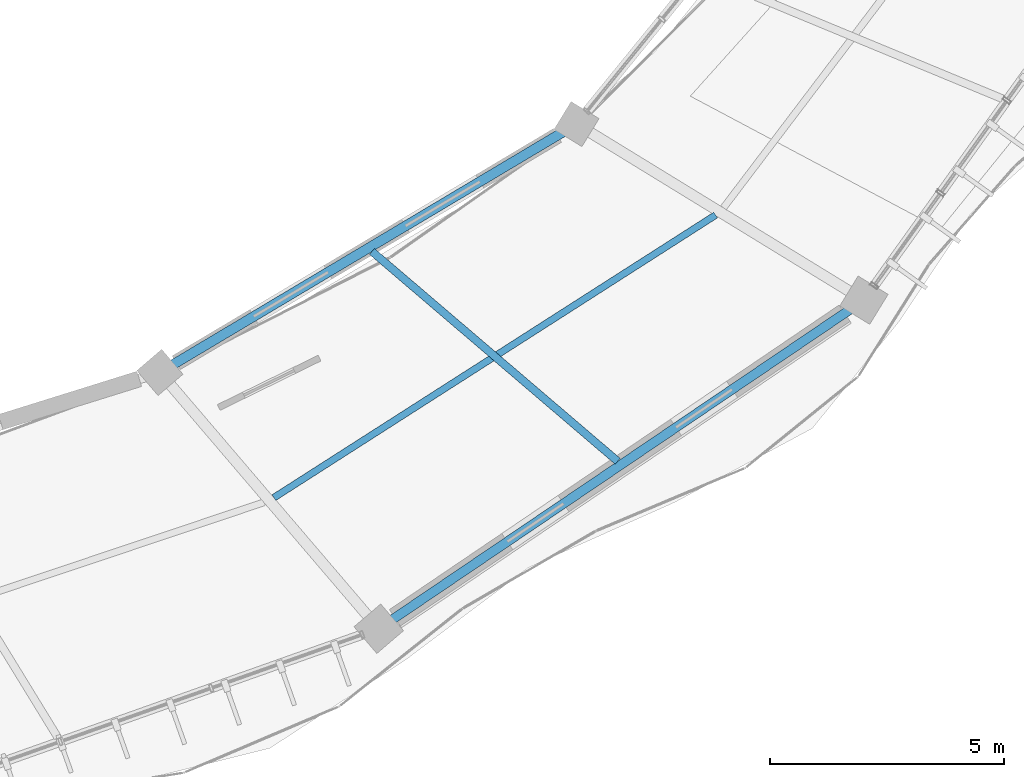
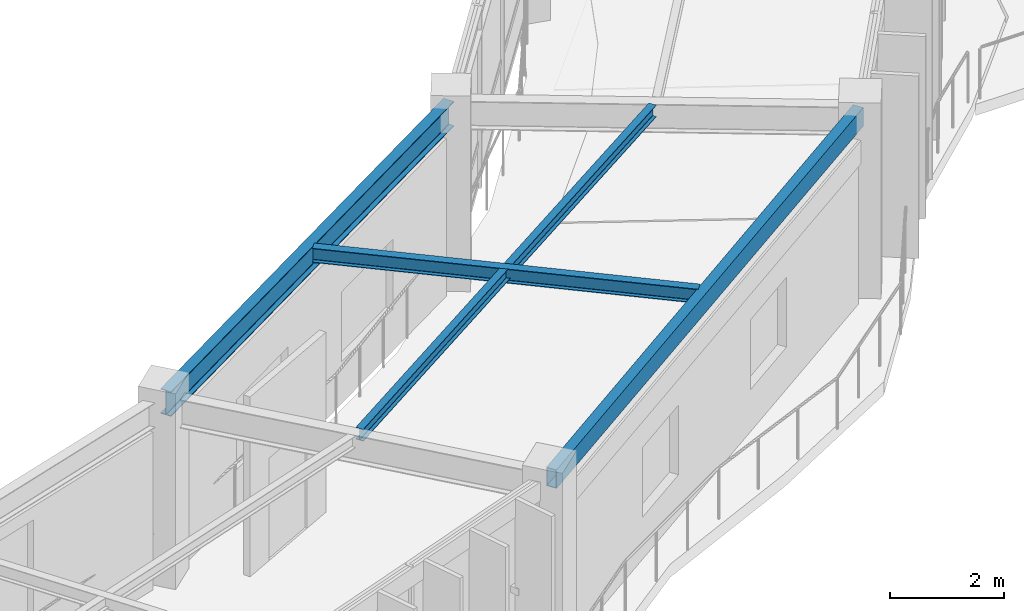
# One storey, part 67 of 152: 4 beams.
"""IFC4 building model written with IfcOpenShell, lengths in metres."""

from ifc_helpers import new_model, si_unit, direction, frame, origin, origin_2d, place, context, subcontext, project, spatial, hollow_rectangle, i_section, extrude, material, material_profile, profile_set, type_object, element, save


model = new_model("IFC4")

# Units and contexts
model_context = context("Model", 3, precision=1e-05, world=origin(), true_north=direction((0.0, 1.0)))
body_context = subcontext(model_context, "Body", "Model", "MODEL_VIEW")
ifc_project = project(units=[si_unit("LENGTHUNIT", "METRE"), si_unit("AREAUNIT", "SQUARE_METRE"), si_unit("VOLUMEUNIT", "CUBIC_METRE"), si_unit("PLANEANGLEUNIT", "RADIAN"), si_unit("MASSUNIT", "GRAM", prefix="KILO"), si_unit("THERMODYNAMICTEMPERATUREUNIT", "KELVIN"), si_unit("POWERUNIT", "WATT")], contexts=[model_context])

# Site, building, storey
site_placement = place(None, origin())
site = spatial("IfcSite", under=ifc_project, at=site_placement, CompositionType="ELEMENT")
building_placement = place(site_placement, origin())
building = spatial("IfcBuilding", under=site, at=building_placement, Name="Darbajah Civic Hall", CompositionType="ELEMENT")
storey_placement = place(building_placement, frame((0.0, 0.0, 5.39990234375)))
storey = spatial("IfcBuildingStorey", under=building, at=storey_placement, Name="L01", CompositionType="ELEMENT", Elevation=5.39990234375)

# Beams
ifc_material = material(Name="Steel S355JR", Category="steel")
ifc_material_profile_1 = material_profile(ifc_material, hollow_rectangle(XDim=0.199951171875, YDim=0.39990234375, WallThickness=0.013916015625, at=origin_2d()), Name="RHS 400x200x14")
ifc_profile_set_1 = profile_set([ifc_material_profile_1], Name="Steel S355JR")
beam_type_1 = type_object("IfcBeamType", Name="RHS 400x200x14", PredefinedType="SPANDREL", material=ifc_profile_set_1)
beam_1_placement = place(storey_placement, frame((122.2880859375, 67.412841796875, 3.72021484375), z_axis=(0.827982022698, 0.560754643394, 0.0), x_axis=(-0.560754643394, 0.827982022698, 0.0)))
element("IfcBeam", 1, at=beam_1_placement, inside=storey, type_object=beam_type_1, Name="L01 beam SP-RHS400", PredefinedType="SPANDREL", context=body_context, shape_type="SweptSolid", body=[
    extrude(hollow_rectangle(XDim=0.199951171875, YDim=0.39990234375, WallThickness=0.013916015625, at=origin_2d()), origin(), (0.0, 0.0, 1.0), 12.355712890625),
])
ifc_material_profile_2 = material_profile(ifc_material, i_section(OverallWidth=0.146484375, OverallDepth=0.256103515625, WebThickness=0.00634765625, FlangeThickness=0.010986328125, FilletRadius=0.007568359375, at=origin_2d()), Name="UB 254x146x37")
ifc_profile_set_2 = profile_set([ifc_material_profile_2], Name="Steel S355JR")
beam_type_2 = type_object("IfcBeamType", Name="UB 254x146x37", PredefinedType="JOIST", material=ifc_profile_set_2)
beam_2_placement = place(storey_placement, frame((119.981689453125, 70.16796875, 3.7919921875), z_axis=(0.842354117653, 0.538924429279, 0.0), x_axis=(-0.538924429279, 0.842354117653, 0.0)))
element("IfcBeam", 2, at=beam_2_placement, inside=storey, type_object=beam_type_2, Name="L01 beam SJ-254", PredefinedType="JOIST", context=body_context, shape_type="SweptSolid", body=[
    extrude(i_section(OverallWidth=0.146484375, OverallDepth=0.256103515625, WebThickness=0.00634765625, FlangeThickness=0.010986328125, FilletRadius=0.007568359375, at=origin_2d()), origin(), (0.0, 0.0, 1.0), 11.20166015625),
])
ifc_material_profile_3 = material_profile(ifc_material, i_section(OverallWidth=0.165771484375, OverallDepth=0.306640625, WebThickness=0.006591796875, FlangeThickness=0.01171875, FilletRadius=0.0087890625, at=origin_2d()), Name="UB 305x165x46")
ifc_profile_set_3 = profile_set([ifc_material_profile_3], Name="Steel S355JR")
beam_type_3 = type_object("IfcBeamType", Name="UB 305x165x46", PredefinedType="JOIST", material=ifc_profile_set_3)
beam_3_placement = place(storey_placement, frame((122.076416015625, 75.4267578125, 3.766845703125), z_axis=(0.760398784195, -0.649456456581, 0.0), x_axis=(0.649456456581, 0.760398784195, 0.0)))
element("IfcBeam", 3, at=beam_3_placement, inside=storey, type_object=beam_type_3, Name="L01 beam SJ-305", PredefinedType="JOIST", context=body_context, shape_type="SweptSolid", body=[
    extrude(i_section(OverallWidth=0.165771484375, OverallDepth=0.306640625, WebThickness=0.006591796875, FlangeThickness=0.01171875, FilletRadius=0.0087890625, at=origin_2d()), origin(), (0.0, 0.0, 1.0), 6.9033203125),
])
ifc_material_profile_4 = material_profile(ifc_material, i_section(OverallWidth=0.209228515625, OverallDepth=0.533203125, WebThickness=0.010009765625, FlangeThickness=0.015625, FilletRadius=0.0126953125, at=origin_2d()), Name="UB 533x210x92")
ifc_profile_set_4 = profile_set([ifc_material_profile_4], Name="Steel S355JR")
beam_type_4 = type_object("IfcBeamType", Name="UB 533x210x92", PredefinedType="BEAM", material=ifc_profile_set_4)
beam_4_placement = place(storey_placement, frame((117.614501953125, 72.8837890625, 3.653564453125), z_axis=(0.858952844576, 0.51205469512, 0.0), x_axis=(-0.51205469512, 0.858952844576, 0.0)))
element("IfcBeam", 4, at=beam_4_placement, inside=storey, type_object=beam_type_4, Name="L01 beam SB-533", PredefinedType="BEAM", context=body_context, shape_type="SweptSolid", body=[
    extrude(i_section(OverallWidth=0.209228515625, OverallDepth=0.533203125, WebThickness=0.010009765625, FlangeThickness=0.015625, FilletRadius=0.0126953125, at=origin_2d()), origin(), (0.0, 0.0, 1.0), 10.201416015625),
])

save(model, "model.ifc")
